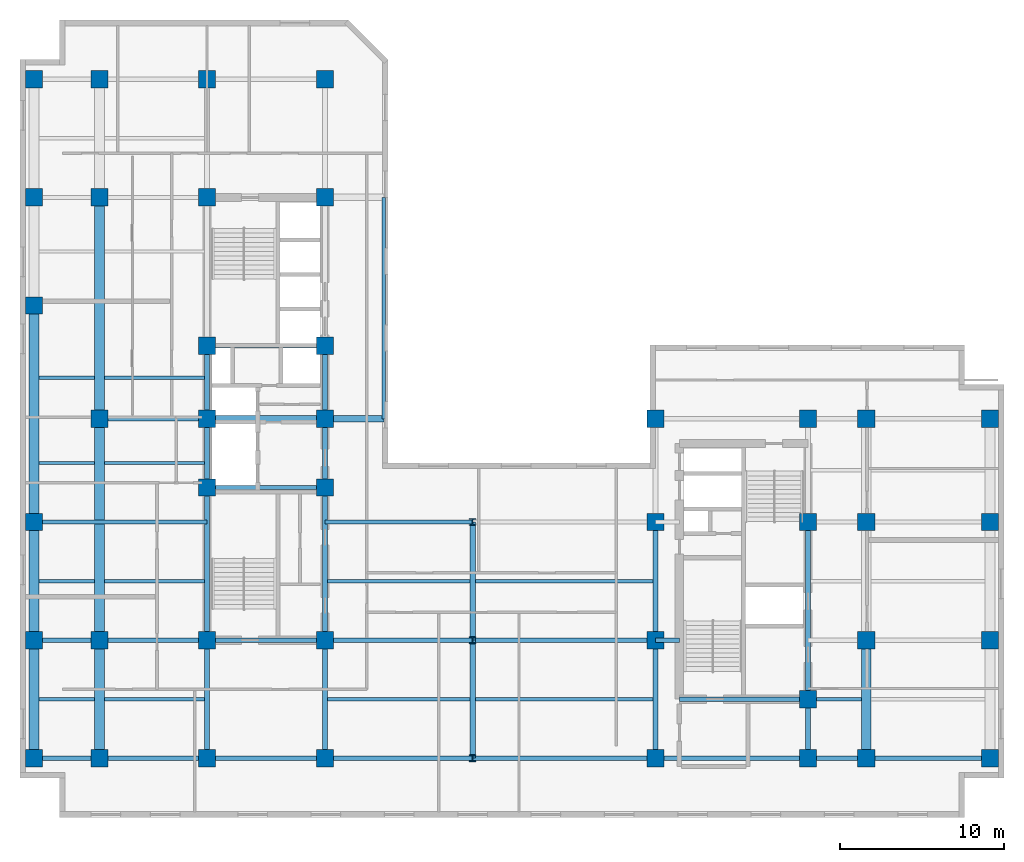
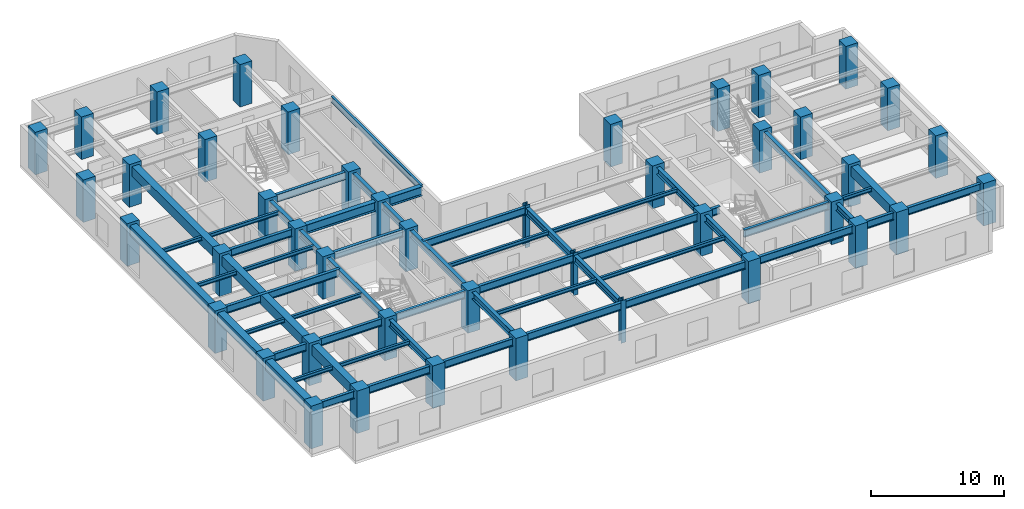
# One storey, part 1 of 10: 56 beams, 44 columns.
"""IFC4 building model written with IfcOpenShell, lengths in metres."""

from ifc_helpers import new_model, entity, si_unit, converted_unit, direction, frame, origin_with_axes, origin_2d_with_axis, place, context, subcontext, project, spatial, rectangle, i_section, extrude, material, material_profile, profile_set, type_object, element, save


model = new_model("IFC4")

# Units and contexts
model_context = context("Model", 3, precision=1e-05, world=origin_with_axes(), true_north=direction((0.0, 1.0)))
body_context = subcontext(model_context, "Body", "Model", "MODEL_VIEW")
ifc_project = project(units=[si_unit("LENGTHUNIT", "METRE"), si_unit("AREAUNIT", "SQUARE_METRE"), si_unit("VOLUMEUNIT", "CUBIC_METRE"), converted_unit("PLANEANGLEUNIT", "DEGREE", entity("IfcPlaneAngleMeasure", 0.017453292519943295), si_unit("PLANEANGLEUNIT", "RADIAN"), dimensions=[0, 0, 0, 0, 0, 0, 0]), si_unit("MASSUNIT", "GRAM", prefix="KILO"), si_unit("THERMODYNAMICTEMPERATUREUNIT", "KELVIN")], contexts=[model_context])

# Site, building, storey
site_placement = place(None, origin_with_axes())
site = spatial("IfcSite", under=ifc_project, at=site_placement, CompositionType="ELEMENT")
building_placement = place(site_placement, origin_with_axes())
building = spatial("IfcBuilding", under=site, at=building_placement, Name="Varnlund Millrace Tower", CompositionType="ELEMENT")
storey_placement = place(building_placement, frame((0.0, 0.0, 148.5), z_axis=(0.0, 0.0, 1.0), x_axis=(1.0, 0.0, 0.0)))
storey = spatial("IfcBuildingStorey", under=building, at=storey_placement, Name="L36", CompositionType="ELEMENT", Elevation=148.5)

# Columns
ifc_material_1 = material(Name="Steel ASTM A913 Grade 65", Category="steel")
ifc_material_profile_1 = material_profile(ifc_material_1, i_section(OverallWidth=0.406, OverallDepth=0.416, WebThickness=0.0298, FlangeThickness=0.048, FilletRadius=0.022, at=origin_2d_with_axis()), Name="Steel ASTM A913 Grade 65")
ifc_profile_set_1 = profile_set([ifc_material_profile_1], Name="Steel ASTM A913 Grade 65")
column_type_1 = type_object("IfcColumnType", Name="Type-Col-Int-W14X257", PredefinedType="COLUMN", material=ifc_profile_set_1)
for number, where, z_axis, x_axis, name in (
    (1, (27.6, 3.6, 0.0), (0.0, 0.0, 1.0), (1.0, 0.0, 0.0), "Type-Col-Int-W14X257"),
    (2, (27.6, 10.8, 0.0), (0.0, 0.0, 1.0), (1.0, 0.0, 0.0), "Type-Col-Int-W14X257"),
    (3, (27.6, 18.0, 0.0), (0.0, 0.0, 1.0), (1.0, 0.0, 0.0), "Type-Col-Int-W14X257"),
):
    element("IfcColumn", number, at=place(storey_placement, frame(where, z_axis=z_axis, x_axis=x_axis)), inside=storey, type_object=column_type_1, Name=name, PredefinedType="COLUMN", context=body_context, shape_type="SweptSolid", body=[
        extrude(i_section(OverallWidth=0.406, OverallDepth=0.416, WebThickness=0.0298, FlangeThickness=0.048, FilletRadius=0.022, at=origin_2d_with_axis()), origin_with_axes(), (0.0, 0.0, 1.0), 3.9),
    ])
ifc_material_2 = material(Name="Concrete C70/85", Category="concrete")
ifc_material_profile_2 = material_profile(ifc_material_2, rectangle(XDim=1.05, YDim=1.05, at=origin_2d_with_axis()), Name="Concrete C70/85")
ifc_profile_set_2 = profile_set([ifc_material_profile_2], Name="Concrete C70/85")
column_type_2 = type_object("IfcColumnType", Name="Type-Col-RC1050-C70", PredefinedType="COLUMN", material=ifc_profile_set_2)
for number, where, z_axis, x_axis, name in (
    (4, (11.4, 3.6, 0.0), (0.0, 0.0, 1.0), (1.0, 0.0, 0.0), "Type-Col-RC1050-C70"),
    (5, (11.4, 10.8, 0.0), (0.0, 0.0, 1.0), (1.0, 0.0, 0.0), "Type-Col-RC1050-C70"),
    (6, (11.4, 20.1, 0.0), (0.0, 0.0, 1.0), (1.0, 0.0, 0.0), "Type-Col-RC1050-C70"),
    (7, (11.4, 24.3, 0.0), (0.0, 0.0, 1.0), (1.0, 0.0, 0.0), "Type-Col-RC1050-C70"),
    (8, (11.4, 28.75, 0.0), (0.0, 0.0, 1.0), (1.0, 0.0, 0.0), "Type-Col-RC1050-C70"),
    (9, (11.4, 37.8, 0.0), (0.0, 0.0, 1.0), (1.0, 0.0, 0.0), "Type-Col-RC1050-C70"),
    (10, (11.4, 45.0, 0.0), (0.0, 0.0, 1.0), (1.0, 0.0, 0.0), "Type-Col-RC1050-C70"),
    (11, (18.6, 3.6, 0.0), (0.0, 0.0, 1.0), (1.0, 0.0, 0.0), "Type-Col-RC1050-C70"),
    (12, (18.6, 10.8, 0.0), (0.0, 0.0, 1.0), (1.0, 0.0, 0.0), "Type-Col-RC1050-C70"),
    (13, (18.6, 20.1, 0.0), (0.0, 0.0, 1.0), (1.0, 0.0, 0.0), "Type-Col-RC1050-C70"),
    (14, (18.6, 24.3, 0.0), (0.0, 0.0, 1.0), (1.0, 0.0, 0.0), "Type-Col-RC1050-C70"),
    (15, (18.6, 28.75, 0.0), (0.0, 0.0, 1.0), (1.0, 0.0, 0.0), "Type-Col-RC1050-C70"),
    (16, (18.6, 37.8, 0.0), (0.0, 0.0, 1.0), (1.0, 0.0, 0.0), "Type-Col-RC1050-C70"),
    (17, (18.6, 45.0, 0.0), (0.0, 0.0, 1.0), (1.0, 0.0, 0.0), "Type-Col-RC1050-C70"),
    (18, (4.85, 3.6, 0.0), (0.0, 0.0, 1.0), (1.0, 0.0, 0.0), "Type-Col-RC1050-C70"),
    (19, (4.85, 10.8, 0.0), (0.0, 0.0, 1.0), (1.0, 0.0, 0.0), "Type-Col-RC1050-C70"),
    (20, (4.85, 24.3, 0.0), (0.0, 0.0, 1.0), (1.0, 0.0, 0.0), "Type-Col-RC1050-C70"),
    (21, (4.85, 37.8, 0.0), (0.0, 0.0, 1.0), (1.0, 0.0, 0.0), "Type-Col-RC1050-C70"),
    (22, (4.85, 45.0, 0.0), (0.0, 0.0, 1.0), (1.0, 0.0, 0.0), "Type-Col-RC1050-C70"),
    (23, (0.85, 3.6, 0.0), (0.0, 0.0, 1.0), (1.0, 0.0, 0.0), "Type-Col-RC1050-C70"),
    (24, (0.85, 10.8, 0.0), (0.0, 0.0, 1.0), (1.0, 0.0, 0.0), "Type-Col-RC1050-C70"),
    (25, (0.85, 18.0, 0.0), (0.0, 0.0, 1.0), (1.0, 0.0, 0.0), "Type-Col-RC1050-C70"),
    (26, (0.85, 31.2, 0.0), (0.0, 0.0, 1.0), (1.0, 0.0, 0.0), "Type-Col-RC1050-C70"),
    (27, (0.85, 37.8, 0.0), (0.0, 0.0, 1.0), (1.0, 0.0, 0.0), "Type-Col-RC1050-C70"),
    (28, (0.85, 45.0, 0.0), (0.0, 0.0, 1.0), (1.0, 0.0, 0.0), "Type-Col-RC1050-C70"),
    (29, (38.75, 3.6, 0.0), (0.0, 0.0, 1.0), (1.0, 0.0, 0.0), "Type-Col-RC1050-C70"),
    (30, (38.75, 10.8, 0.0), (0.0, 0.0, 1.0), (1.0, 0.0, 0.0), "Type-Col-RC1050-C70"),
    (31, (38.75, 18.0, 0.0), (0.0, 0.0, 1.0), (1.0, 0.0, 0.0), "Type-Col-RC1050-C70"),
    (32, (38.75, 24.3, 0.0), (0.0, 0.0, 1.0), (1.0, 0.0, 0.0), "Type-Col-RC1050-C70"),
    (33, (48.05, 3.6, 0.0), (0.0, 0.0, 1.0), (1.0, 0.0, 0.0), "Type-Col-RC1050-C70"),
    (34, (48.05, 7.2, 0.0), (0.0, 0.0, 1.0), (1.0, 0.0, 0.0), "Type-Col-RC1050-C70"),
    (35, (48.05, 18.0, 0.0), (0.0, 0.0, 1.0), (1.0, 0.0, 0.0), "Type-Col-RC1050-C70"),
    (36, (48.05, 24.3, 0.0), (0.0, 0.0, 1.0), (1.0, 0.0, 0.0), "Type-Col-RC1050-C70"),
    (37, (51.6, 3.6, 0.0), (0.0, 0.0, 1.0), (1.0, 0.0, 0.0), "Type-Col-RC1050-C70"),
    (38, (51.6, 10.8, 0.0), (0.0, 0.0, 1.0), (1.0, 0.0, 0.0), "Type-Col-RC1050-C70"),
    (39, (51.6, 18.0, 0.0), (0.0, 0.0, 1.0), (1.0, 0.0, 0.0), "Type-Col-RC1050-C70"),
    (40, (51.6, 24.3, 0.0), (0.0, 0.0, 1.0), (1.0, 0.0, 0.0), "Type-Col-RC1050-C70"),
    (41, (59.15, 3.6, 0.0), (0.0, 0.0, 1.0), (1.0, 0.0, 0.0), "Type-Col-RC1050-C70"),
    (42, (59.15, 10.8, 0.0), (0.0, 0.0, 1.0), (1.0, 0.0, 0.0), "Type-Col-RC1050-C70"),
    (43, (59.15, 18.0, 0.0), (0.0, 0.0, 1.0), (1.0, 0.0, 0.0), "Type-Col-RC1050-C70"),
    (44, (59.15, 24.3, 0.0), (0.0, 0.0, 1.0), (1.0, 0.0, 0.0), "Type-Col-RC1050-C70"),
):
    element("IfcColumn", number, at=place(storey_placement, frame(where, z_axis=z_axis, x_axis=x_axis)), inside=storey, type_object=column_type_2, Name=name, PredefinedType="COLUMN", context=body_context, shape_type="SweptSolid", body=[
        extrude(rectangle(XDim=1.05, YDim=1.05, at=origin_2d_with_axis()), origin_with_axes(), (0.0, 0.0, 1.0), 3.9),
    ])

# Beams
ifc_material_3 = material(Name="Steel ASTM A992 Grade 50", Category="steel")
ifc_material_profile_3 = material_profile(ifc_material_3, i_section(OverallWidth=0.209, OverallDepth=0.533, WebThickness=0.0102, FlangeThickness=0.0156, FilletRadius=0.014, at=origin_2d_with_axis()), Name="Steel ASTM A992 Grade 50")
ifc_profile_set_3 = profile_set([ifc_material_profile_3], Name="Steel ASTM A992 Grade 50")
beam_type_1 = type_object("IfcBeamType", Name="Type-Beam-W21X62", PredefinedType="BEAM", material=ifc_profile_set_3)
beam_1_placement = place(storey_placement, frame((22.191, 24.3, 3.3935), z_axis=(0.0, 1.0, 0.0), x_axis=(-1.0, 0.0, 0.0)))
element("IfcBeam", 45, at=beam_1_placement, inside=storey, type_object=beam_type_1, Name="Type-Beam-W21X62", PredefinedType="BEAM", context=body_context, shape_type="SweptSolid", body=[
    extrude(i_section(OverallWidth=0.209, OverallDepth=0.533, WebThickness=0.0102, FlangeThickness=0.0156, FilletRadius=0.014, at=origin_2d_with_axis()), origin_with_axes(), (0.0, 0.0, 1.0), 13.5),
])
ifc_material_profile_4 = material_profile(ifc_material_3, i_section(OverallWidth=0.328, OverallDepth=0.628, WebThickness=0.0165, FlangeThickness=0.0277, FilletRadius=0.018, at=origin_2d_with_axis()), Name="Steel ASTM A992 Grade 50")
ifc_profile_set_4 = profile_set([ifc_material_profile_4], Name="Steel ASTM A992 Grade 50")
beam_type_2 = type_object("IfcBeamType", Name="Type-Girder-W24X146", PredefinedType="USERDEFINED", material=ifc_profile_set_4)
beam_2_placement = place(storey_placement, frame((11.4, 3.6, 3.346), z_axis=(0.0, 1.0, 0.0), x_axis=(-1.0, 0.0, 0.0)))
element("IfcBeam", 46, at=beam_2_placement, inside=storey, type_object=beam_type_2, Name="Type-Girder-W24X146", ObjectType="GIRDER", PredefinedType="USERDEFINED", context=body_context, shape_type="SweptSolid", body=[
    extrude(i_section(OverallWidth=0.328, OverallDepth=0.628, WebThickness=0.0165, FlangeThickness=0.0277, FilletRadius=0.018, at=origin_2d_with_axis()), origin_with_axes(), (0.0, 0.0, 1.0), 7.2),
])
beam_3_placement = place(storey_placement, frame((11.4, 10.8, 3.346), z_axis=(0.0, 1.0, 0.0), x_axis=(-1.0, 0.0, 0.0)))
element("IfcBeam", 47, at=beam_3_placement, inside=storey, type_object=beam_type_2, Name="Type-Girder-W24X146", ObjectType="GIRDER", PredefinedType="USERDEFINED", context=body_context, shape_type="SweptSolid", body=[
    extrude(i_section(OverallWidth=0.328, OverallDepth=0.628, WebThickness=0.0165, FlangeThickness=0.0277, FilletRadius=0.018, at=origin_2d_with_axis()), origin_with_axes(), (0.0, 0.0, 1.0), 9.3),
])
beam_4_placement = place(storey_placement, frame((11.4, 20.1, 3.346), z_axis=(0.0, 1.0, 0.0), x_axis=(-1.0, 0.0, 0.0)))
element("IfcBeam", 48, at=beam_4_placement, inside=storey, type_object=beam_type_2, Name="Type-Girder-W24X146", ObjectType="GIRDER", PredefinedType="USERDEFINED", context=body_context, shape_type="SweptSolid", body=[
    extrude(i_section(OverallWidth=0.328, OverallDepth=0.628, WebThickness=0.0165, FlangeThickness=0.0277, FilletRadius=0.018, at=origin_2d_with_axis()), origin_with_axes(), (0.0, 0.0, 1.0), 4.2),
])
beam_5_placement = place(storey_placement, frame((11.4, 24.3, 3.346), z_axis=(0.0, 1.0, 0.0), x_axis=(-1.0, 0.0, 0.0)))
element("IfcBeam", 49, at=beam_5_placement, inside=storey, type_object=beam_type_2, Name="Type-Girder-W24X146", ObjectType="GIRDER", PredefinedType="USERDEFINED", context=body_context, shape_type="SweptSolid", body=[
    extrude(i_section(OverallWidth=0.328, OverallDepth=0.628, WebThickness=0.0165, FlangeThickness=0.0277, FilletRadius=0.018, at=origin_2d_with_axis()), origin_with_axes(), (0.0, 0.0, 1.0), 4.45),
])
beam_6_placement = place(storey_placement, frame((18.6, 3.6, 3.346), z_axis=(0.0, 1.0, 0.0), x_axis=(-1.0, 0.0, 0.0)))
element("IfcBeam", 50, at=beam_6_placement, inside=storey, type_object=beam_type_2, Name="Type-Girder-W24X146", ObjectType="GIRDER", PredefinedType="USERDEFINED", context=body_context, shape_type="SweptSolid", body=[
    extrude(i_section(OverallWidth=0.328, OverallDepth=0.628, WebThickness=0.0165, FlangeThickness=0.0277, FilletRadius=0.018, at=origin_2d_with_axis()), origin_with_axes(), (0.0, 0.0, 1.0), 7.2),
])
beam_7_placement = place(storey_placement, frame((18.6, 10.8, 3.346), z_axis=(0.0, 1.0, 0.0), x_axis=(-1.0, 0.0, 0.0)))
element("IfcBeam", 51, at=beam_7_placement, inside=storey, type_object=beam_type_2, Name="Type-Girder-W24X146", ObjectType="GIRDER", PredefinedType="USERDEFINED", context=body_context, shape_type="SweptSolid", body=[
    extrude(i_section(OverallWidth=0.328, OverallDepth=0.628, WebThickness=0.0165, FlangeThickness=0.0277, FilletRadius=0.018, at=origin_2d_with_axis()), origin_with_axes(), (0.0, 0.0, 1.0), 9.3),
])
beam_8_placement = place(storey_placement, frame((18.6, 20.1, 3.346), z_axis=(0.0, 1.0, 0.0), x_axis=(-1.0, 0.0, 0.0)))
element("IfcBeam", 52, at=beam_8_placement, inside=storey, type_object=beam_type_2, Name="Type-Girder-W24X146", ObjectType="GIRDER", PredefinedType="USERDEFINED", context=body_context, shape_type="SweptSolid", body=[
    extrude(i_section(OverallWidth=0.328, OverallDepth=0.628, WebThickness=0.0165, FlangeThickness=0.0277, FilletRadius=0.018, at=origin_2d_with_axis()), origin_with_axes(), (0.0, 0.0, 1.0), 4.2),
])
beam_9_placement = place(storey_placement, frame((18.6, 24.3, 3.346), z_axis=(0.0, 1.0, 0.0), x_axis=(-1.0, 0.0, 0.0)))
element("IfcBeam", 53, at=beam_9_placement, inside=storey, type_object=beam_type_2, Name="Type-Girder-W24X146", ObjectType="GIRDER", PredefinedType="USERDEFINED", context=body_context, shape_type="SweptSolid", body=[
    extrude(i_section(OverallWidth=0.328, OverallDepth=0.628, WebThickness=0.0165, FlangeThickness=0.0277, FilletRadius=0.018, at=origin_2d_with_axis()), origin_with_axes(), (0.0, 0.0, 1.0), 4.45),
])
for number, where, z_axis, x_axis, name in (
    (54, (27.6, 3.6, 3.346), (0.0, 1.0, 0.0), (-1.0, 0.0, 0.0), "Type-Girder-W24X146"),
    (55, (27.6, 10.8, 3.346), (0.0, 1.0, 0.0), (-1.0, 0.0, 0.0), "Type-Girder-W24X146"),
    (56, (38.75, 3.6, 3.346), (0.0, 1.0, 0.0), (-1.0, 0.0, 0.0), "Type-Girder-W24X146"),
    (57, (38.75, 10.8, 3.346), (0.0, 1.0, 0.0), (-1.0, 0.0, 0.0), "Type-Girder-W24X146"),
):
    element("IfcBeam", number, at=place(storey_placement, frame(where, z_axis=z_axis, x_axis=x_axis)), inside=storey, type_object=beam_type_2, Name=name, ObjectType="GIRDER", PredefinedType="USERDEFINED", context=body_context, shape_type="SweptSolid", body=[
        extrude(i_section(OverallWidth=0.328, OverallDepth=0.628, WebThickness=0.0165, FlangeThickness=0.0277, FilletRadius=0.018, at=origin_2d_with_axis()), origin_with_axes(), (0.0, 0.0, 1.0), 7.2),
    ])
beam_10_placement = place(storey_placement, frame((48.05, 3.6, 3.346), z_axis=(0.0, 1.0, 0.0), x_axis=(-1.0, 0.0, 0.0)))
element("IfcBeam", 58, at=beam_10_placement, inside=storey, type_object=beam_type_2, Name="Type-Girder-W24X146", ObjectType="GIRDER", PredefinedType="USERDEFINED", context=body_context, shape_type="SweptSolid", body=[
    extrude(i_section(OverallWidth=0.328, OverallDepth=0.628, WebThickness=0.0165, FlangeThickness=0.0277, FilletRadius=0.018, at=origin_2d_with_axis()), origin_with_axes(), (0.0, 0.0, 1.0), 3.6),
])
beam_11_placement = place(storey_placement, frame((48.05, 7.2, 3.346), z_axis=(0.0, 1.0, 0.0), x_axis=(-1.0, 0.0, 0.0)))
element("IfcBeam", 59, at=beam_11_placement, inside=storey, type_object=beam_type_2, Name="Type-Girder-W24X146", ObjectType="GIRDER", PredefinedType="USERDEFINED", context=body_context, shape_type="SweptSolid", body=[
    extrude(i_section(OverallWidth=0.328, OverallDepth=0.628, WebThickness=0.0165, FlangeThickness=0.0277, FilletRadius=0.018, at=origin_2d_with_axis()), origin_with_axes(), (0.0, 0.0, 1.0), 10.8),
])
ifc_material_profile_5 = material_profile(ifc_material_3, i_section(OverallWidth=0.256, OverallDepth=0.693, WebThickness=0.0145, FlangeThickness=0.0236, FilletRadius=0.018, at=origin_2d_with_axis()), Name="Steel ASTM A992 Grade 50")
ifc_profile_set_5 = profile_set([ifc_material_profile_5], Name="Steel ASTM A992 Grade 50")
beam_type_3 = type_object("IfcBeamType", Name="Type-Girder-W27X114", PredefinedType="USERDEFINED", material=ifc_profile_set_5)
beam_12_placement = place(storey_placement, frame((0.85, 3.6, 3.3135), z_axis=(1.0, 0.0, 0.0), x_axis=(0.0, 1.0, 0.0)))
element("IfcBeam", 60, at=beam_12_placement, inside=storey, type_object=beam_type_3, Name="Type-Girder-W27X114", ObjectType="GIRDER", PredefinedType="USERDEFINED", context=body_context, shape_type="SweptSolid", body=[
    extrude(i_section(OverallWidth=0.256, OverallDepth=0.693, WebThickness=0.0145, FlangeThickness=0.0236, FilletRadius=0.018, at=origin_2d_with_axis()), origin_with_axes(), (0.0, 0.0, 1.0), 4.0),
])
beam_13_placement = place(storey_placement, frame((4.85, 3.6, 3.3135), z_axis=(1.0, 0.0, 0.0), x_axis=(0.0, 1.0, 0.0)))
element("IfcBeam", 61, at=beam_13_placement, inside=storey, type_object=beam_type_3, Name="Type-Girder-W27X114", ObjectType="GIRDER", PredefinedType="USERDEFINED", context=body_context, shape_type="SweptSolid", body=[
    extrude(i_section(OverallWidth=0.256, OverallDepth=0.693, WebThickness=0.0145, FlangeThickness=0.0236, FilletRadius=0.018, at=origin_2d_with_axis()), origin_with_axes(), (0.0, 0.0, 1.0), 6.55),
])
beam_14_placement = place(storey_placement, frame((11.4, 3.6, 3.3135), z_axis=(1.0, 0.0, 0.0), x_axis=(0.0, 1.0, 0.0)))
element("IfcBeam", 62, at=beam_14_placement, inside=storey, type_object=beam_type_3, Name="Type-Girder-W27X114", ObjectType="GIRDER", PredefinedType="USERDEFINED", context=body_context, shape_type="SweptSolid", body=[
    extrude(i_section(OverallWidth=0.256, OverallDepth=0.693, WebThickness=0.0145, FlangeThickness=0.0236, FilletRadius=0.018, at=origin_2d_with_axis()), origin_with_axes(), (0.0, 0.0, 1.0), 7.2),
])
beam_15_placement = place(storey_placement, frame((18.6, 3.6, 3.3135), z_axis=(1.0, 0.0, 0.0), x_axis=(0.0, 1.0, 0.0)))
element("IfcBeam", 63, at=beam_15_placement, inside=storey, type_object=beam_type_3, Name="Type-Girder-W27X114", ObjectType="GIRDER", PredefinedType="USERDEFINED", context=body_context, shape_type="SweptSolid", body=[
    extrude(i_section(OverallWidth=0.256, OverallDepth=0.693, WebThickness=0.0145, FlangeThickness=0.0236, FilletRadius=0.018, at=origin_2d_with_axis()), origin_with_axes(), (0.0, 0.0, 1.0), 9.0),
])
beam_16_placement = place(storey_placement, frame((27.6, 3.6, 3.3135), z_axis=(1.0, 0.0, 0.0), x_axis=(0.0, 1.0, 0.0)))
element("IfcBeam", 64, at=beam_16_placement, inside=storey, type_object=beam_type_3, Name="Type-Girder-W27X114", ObjectType="GIRDER", PredefinedType="USERDEFINED", context=body_context, shape_type="SweptSolid", body=[
    extrude(i_section(OverallWidth=0.256, OverallDepth=0.693, WebThickness=0.0145, FlangeThickness=0.0236, FilletRadius=0.018, at=origin_2d_with_axis()), origin_with_axes(), (0.0, 0.0, 1.0), 11.15),
])
beam_17_placement = place(storey_placement, frame((38.75, 3.6, 3.3135), z_axis=(1.0, 0.0, 0.0), x_axis=(0.0, 1.0, 0.0)))
element("IfcBeam", 65, at=beam_17_placement, inside=storey, type_object=beam_type_3, Name="Type-Girder-W27X114", ObjectType="GIRDER", PredefinedType="USERDEFINED", context=body_context, shape_type="SweptSolid", body=[
    extrude(i_section(OverallWidth=0.256, OverallDepth=0.693, WebThickness=0.0145, FlangeThickness=0.0236, FilletRadius=0.018, at=origin_2d_with_axis()), origin_with_axes(), (0.0, 0.0, 1.0), 9.3),
])
beam_18_placement = place(storey_placement, frame((48.05, 3.6, 3.3135), z_axis=(1.0, 0.0, 0.0), x_axis=(0.0, 1.0, 0.0)))
element("IfcBeam", 66, at=beam_18_placement, inside=storey, type_object=beam_type_3, Name="Type-Girder-W27X114", ObjectType="GIRDER", PredefinedType="USERDEFINED", context=body_context, shape_type="SweptSolid", body=[
    extrude(i_section(OverallWidth=0.256, OverallDepth=0.693, WebThickness=0.0145, FlangeThickness=0.0236, FilletRadius=0.018, at=origin_2d_with_axis()), origin_with_axes(), (0.0, 0.0, 1.0), 3.55),
])
beam_19_placement = place(storey_placement, frame((51.6, 3.6, 3.3135), z_axis=(1.0, 0.0, 0.0), x_axis=(0.0, 1.0, 0.0)))
element("IfcBeam", 67, at=beam_19_placement, inside=storey, type_object=beam_type_3, Name="Type-Girder-W27X114", ObjectType="GIRDER", PredefinedType="USERDEFINED", context=body_context, shape_type="SweptSolid", body=[
    extrude(i_section(OverallWidth=0.256, OverallDepth=0.693, WebThickness=0.0145, FlangeThickness=0.0236, FilletRadius=0.018, at=origin_2d_with_axis()), origin_with_axes(), (0.0, 0.0, 1.0), 7.55),
])
beam_20_placement = place(storey_placement, frame((40.2, 7.2, 3.3135), z_axis=(1.0, 0.0, 0.0), x_axis=(0.0, 1.0, 0.0)))
element("IfcBeam", 68, at=beam_20_placement, inside=storey, type_object=beam_type_3, Name="Type-Girder-W27X114", ObjectType="GIRDER", PredefinedType="USERDEFINED", context=body_context, shape_type="SweptSolid", body=[
    extrude(i_section(OverallWidth=0.256, OverallDepth=0.693, WebThickness=0.0145, FlangeThickness=0.0236, FilletRadius=0.018, at=origin_2d_with_axis()), origin_with_axes(), (0.0, 0.0, 1.0), 7.85),
])
beam_21_placement = place(storey_placement, frame((0.85, 10.8, 3.3135), z_axis=(1.0, 0.0, 0.0), x_axis=(0.0, 1.0, 0.0)))
element("IfcBeam", 69, at=beam_21_placement, inside=storey, type_object=beam_type_3, Name="Type-Girder-W27X114", ObjectType="GIRDER", PredefinedType="USERDEFINED", context=body_context, shape_type="SweptSolid", body=[
    extrude(i_section(OverallWidth=0.256, OverallDepth=0.693, WebThickness=0.0145, FlangeThickness=0.0236, FilletRadius=0.018, at=origin_2d_with_axis()), origin_with_axes(), (0.0, 0.0, 1.0), 4.0),
])
beam_22_placement = place(storey_placement, frame((4.85, 10.8, 3.3135), z_axis=(1.0, 0.0, 0.0), x_axis=(0.0, 1.0, 0.0)))
element("IfcBeam", 70, at=beam_22_placement, inside=storey, type_object=beam_type_3, Name="Type-Girder-W27X114", ObjectType="GIRDER", PredefinedType="USERDEFINED", context=body_context, shape_type="SweptSolid", body=[
    extrude(i_section(OverallWidth=0.256, OverallDepth=0.693, WebThickness=0.0145, FlangeThickness=0.0236, FilletRadius=0.018, at=origin_2d_with_axis()), origin_with_axes(), (0.0, 0.0, 1.0), 6.55),
])
beam_23_placement = place(storey_placement, frame((11.4, 10.8, 3.3135), z_axis=(1.0, 0.0, 0.0), x_axis=(0.0, 1.0, 0.0)))
element("IfcBeam", 71, at=beam_23_placement, inside=storey, type_object=beam_type_3, Name="Type-Girder-W27X114", ObjectType="GIRDER", PredefinedType="USERDEFINED", context=body_context, shape_type="SweptSolid", body=[
    extrude(i_section(OverallWidth=0.256, OverallDepth=0.693, WebThickness=0.0145, FlangeThickness=0.0236, FilletRadius=0.018, at=origin_2d_with_axis()), origin_with_axes(), (0.0, 0.0, 1.0), 7.2),
])
beam_24_placement = place(storey_placement, frame((18.6, 10.8, 3.3135), z_axis=(1.0, 0.0, 0.0), x_axis=(0.0, 1.0, 0.0)))
element("IfcBeam", 72, at=beam_24_placement, inside=storey, type_object=beam_type_3, Name="Type-Girder-W27X114", ObjectType="GIRDER", PredefinedType="USERDEFINED", context=body_context, shape_type="SweptSolid", body=[
    extrude(i_section(OverallWidth=0.256, OverallDepth=0.693, WebThickness=0.0145, FlangeThickness=0.0236, FilletRadius=0.018, at=origin_2d_with_axis()), origin_with_axes(), (0.0, 0.0, 1.0), 9.0),
])
beam_25_placement = place(storey_placement, frame((27.6, 10.8, 3.3135), z_axis=(1.0, 0.0, 0.0), x_axis=(0.0, 1.0, 0.0)))
element("IfcBeam", 73, at=beam_25_placement, inside=storey, type_object=beam_type_3, Name="Type-Girder-W27X114", ObjectType="GIRDER", PredefinedType="USERDEFINED", context=body_context, shape_type="SweptSolid", body=[
    extrude(i_section(OverallWidth=0.256, OverallDepth=0.693, WebThickness=0.0145, FlangeThickness=0.0236, FilletRadius=0.018, at=origin_2d_with_axis()), origin_with_axes(), (0.0, 0.0, 1.0), 11.15),
])
beam_26_placement = place(storey_placement, frame((38.75, 10.8, 3.3135), z_axis=(1.0, 0.0, 0.0), x_axis=(0.0, 1.0, 0.0)))
element("IfcBeam", 74, at=beam_26_placement, inside=storey, type_object=beam_type_3, Name="Type-Girder-W27X114", ObjectType="GIRDER", PredefinedType="USERDEFINED", context=body_context, shape_type="SweptSolid", body=[
    extrude(i_section(OverallWidth=0.256, OverallDepth=0.693, WebThickness=0.0145, FlangeThickness=0.0236, FilletRadius=0.018, at=origin_2d_with_axis()), origin_with_axes(), (0.0, 0.0, 1.0), 1.45),
])
beam_27_placement = place(storey_placement, frame((0.85, 18.0, 3.3135), z_axis=(1.0, 0.0, 0.0), x_axis=(0.0, 1.0, 0.0)))
element("IfcBeam", 75, at=beam_27_placement, inside=storey, type_object=beam_type_3, Name="Type-Girder-W27X114", ObjectType="GIRDER", PredefinedType="USERDEFINED", context=body_context, shape_type="SweptSolid", body=[
    extrude(i_section(OverallWidth=0.256, OverallDepth=0.693, WebThickness=0.0145, FlangeThickness=0.0236, FilletRadius=0.018, at=origin_2d_with_axis()), origin_with_axes(), (0.0, 0.0, 1.0), 10.55),
])
beam_28_placement = place(storey_placement, frame((18.6, 18.0, 3.3135), z_axis=(1.0, 0.0, 0.0), x_axis=(0.0, 1.0, 0.0)))
element("IfcBeam", 76, at=beam_28_placement, inside=storey, type_object=beam_type_3, Name="Type-Girder-W27X114", ObjectType="GIRDER", PredefinedType="USERDEFINED", context=body_context, shape_type="SweptSolid", body=[
    extrude(i_section(OverallWidth=0.256, OverallDepth=0.693, WebThickness=0.0145, FlangeThickness=0.0236, FilletRadius=0.018, at=origin_2d_with_axis()), origin_with_axes(), (0.0, 0.0, 1.0), 9.0),
])
beam_29_placement = place(storey_placement, frame((11.4, 20.1, 3.3135), z_axis=(1.0, 0.0, 0.0), x_axis=(0.0, 1.0, 0.0)))
element("IfcBeam", 77, at=beam_29_placement, inside=storey, type_object=beam_type_3, Name="Type-Girder-W27X114", ObjectType="GIRDER", PredefinedType="USERDEFINED", context=body_context, shape_type="SweptSolid", body=[
    extrude(i_section(OverallWidth=0.256, OverallDepth=0.693, WebThickness=0.0145, FlangeThickness=0.0236, FilletRadius=0.018, at=origin_2d_with_axis()), origin_with_axes(), (0.0, 0.0, 1.0), 7.2),
])
beam_30_placement = place(storey_placement, frame((4.85, 24.3, 3.3135), z_axis=(1.0, 0.0, 0.0), x_axis=(0.0, 1.0, 0.0)))
element("IfcBeam", 78, at=beam_30_placement, inside=storey, type_object=beam_type_3, Name="Type-Girder-W27X114", ObjectType="GIRDER", PredefinedType="USERDEFINED", context=body_context, shape_type="SweptSolid", body=[
    extrude(i_section(OverallWidth=0.256, OverallDepth=0.693, WebThickness=0.0145, FlangeThickness=0.0236, FilletRadius=0.018, at=origin_2d_with_axis()), origin_with_axes(), (0.0, 0.0, 1.0), 6.55),
])
beam_31_placement = place(storey_placement, frame((11.4, 28.75, 3.3135), z_axis=(1.0, 0.0, 0.0), x_axis=(0.0, 1.0, 0.0)))
element("IfcBeam", 79, at=beam_31_placement, inside=storey, type_object=beam_type_3, Name="Type-Girder-W27X114", ObjectType="GIRDER", PredefinedType="USERDEFINED", context=body_context, shape_type="SweptSolid", body=[
    extrude(i_section(OverallWidth=0.256, OverallDepth=0.693, WebThickness=0.0145, FlangeThickness=0.0236, FilletRadius=0.018, at=origin_2d_with_axis()), origin_with_axes(), (0.0, 0.0, 1.0), 7.2),
])
ifc_material_profile_6 = material_profile(ifc_material_3, i_section(OverallWidth=0.399, OverallDepth=0.855, WebThickness=0.0182, FlangeThickness=0.0292, FilletRadius=0.022, at=origin_2d_with_axis()), Name="Steel ASTM A992 Grade 50")
ifc_profile_set_6 = profile_set([ifc_material_profile_6], Name="Steel ASTM A992 Grade 50")
beam_type_4 = type_object("IfcBeamType", Name="Type-Girder-W33X201", PredefinedType="USERDEFINED", material=ifc_profile_set_6)
beam_32_placement = place(storey_placement, frame((11.4, 24.3, 3.2325), z_axis=(1.0, 0.0, 0.0), x_axis=(0.0, 1.0, 0.0)))
element("IfcBeam", 80, at=beam_32_placement, inside=storey, type_object=beam_type_4, Name="Type-Girder-W33X201", ObjectType="GIRDER", PredefinedType="USERDEFINED", context=body_context, shape_type="SweptSolid", body=[
    extrude(i_section(OverallWidth=0.399, OverallDepth=0.855, WebThickness=0.0182, FlangeThickness=0.0292, FilletRadius=0.022, at=origin_2d_with_axis()), origin_with_axes(), (0.0, 0.0, 1.0), 10.791),
])
ifc_material_profile_7 = material_profile(ifc_material_3, i_section(OverallWidth=0.204, OverallDepth=0.35, WebThickness=0.0086, FlangeThickness=0.0151, FilletRadius=0.013, at=origin_2d_with_axis()), Name="Steel ASTM A992 Grade 50")
ifc_profile_set_7 = profile_set([ifc_material_profile_7], Name="Steel ASTM A992 Grade 50")
beam_type_5 = type_object("IfcBeamType", Name="Type-Joist-W14X48", PredefinedType="JOIST", material=ifc_profile_set_7)
for number, where, z_axis, x_axis, name in (
    (81, (1.15, 7.2, 3.485), (1.0, 0.0, 0.0), (0.0, 1.0, 0.0), "Type-Joist-W14X48"),
    (82, (1.15, 14.4, 3.485), (1.0, 0.0, 0.0), (0.0, 1.0, 0.0), "Type-Joist-W14X48"),
    (83, (1.15, 21.6, 3.485), (1.0, 0.0, 0.0), (0.0, 1.0, 0.0), "Type-Joist-W14X48"),
    (84, (1.15, 26.8, 3.485), (1.0, 0.0, 0.0), (0.0, 1.0, 0.0), "Type-Joist-W14X48"),
):
    element("IfcBeam", number, at=place(storey_placement, frame(where, z_axis=z_axis, x_axis=x_axis)), inside=storey, type_object=beam_type_5, Name=name, PredefinedType="JOIST", context=body_context, shape_type="SweptSolid", body=[
        extrude(i_section(OverallWidth=0.204, OverallDepth=0.35, WebThickness=0.0086, FlangeThickness=0.0151, FilletRadius=0.013, at=origin_2d_with_axis()), origin_with_axes(), (0.0, 0.0, 1.0), 3.4),
    ])
for number, where, z_axis, x_axis, name in (
    (85, (5.15, 7.2, 3.485), (1.0, 0.0, 0.0), (0.0, 1.0, 0.0), "Type-Joist-W14X48"),
    (86, (5.15, 14.4, 3.485), (1.0, 0.0, 0.0), (0.0, 1.0, 0.0), "Type-Joist-W14X48"),
    (87, (5.15, 21.6, 3.485), (1.0, 0.0, 0.0), (0.0, 1.0, 0.0), "Type-Joist-W14X48"),
    (88, (5.15, 26.8, 3.485), (1.0, 0.0, 0.0), (0.0, 1.0, 0.0), "Type-Joist-W14X48"),
):
    element("IfcBeam", number, at=place(storey_placement, frame(where, z_axis=z_axis, x_axis=x_axis)), inside=storey, type_object=beam_type_5, Name=name, PredefinedType="JOIST", context=body_context, shape_type="SweptSolid", body=[
        extrude(i_section(OverallWidth=0.204, OverallDepth=0.35, WebThickness=0.0086, FlangeThickness=0.0151, FilletRadius=0.013, at=origin_2d_with_axis()), origin_with_axes(), (0.0, 0.0, 1.0), 6.086),
    ])
beam_33_placement = place(storey_placement, frame((48.214, 7.2, 3.485), z_axis=(1.0, 0.0, 0.0), x_axis=(0.0, 1.0, 0.0)))
element("IfcBeam", 89, at=beam_33_placement, inside=storey, type_object=beam_type_5, Name="Type-Joist-W14X48", PredefinedType="JOIST", context=body_context, shape_type="SweptSolid", body=[
    extrude(i_section(OverallWidth=0.204, OverallDepth=0.35, WebThickness=0.0086, FlangeThickness=0.0151, FilletRadius=0.013, at=origin_2d_with_axis()), origin_with_axes(), (0.0, 0.0, 1.0), 3.086),
])
for number, where, z_axis, x_axis, name in (
    (90, (18.764, 7.2, 3.485), (1.0, 0.0, 0.0), (0.0, 1.0, 0.0), "Type-Joist-W14X48"),
    (91, (18.764, 14.4, 3.485), (1.0, 0.0, 0.0), (0.0, 1.0, 0.0), "Type-Joist-W14X48"),
):
    element("IfcBeam", number, at=place(storey_placement, frame(where, z_axis=z_axis, x_axis=x_axis)), inside=storey, type_object=beam_type_5, Name=name, PredefinedType="JOIST", context=body_context, shape_type="SweptSolid", body=[
        extrude(i_section(OverallWidth=0.204, OverallDepth=0.35, WebThickness=0.0086, FlangeThickness=0.0151, FilletRadius=0.013, at=origin_2d_with_axis()), origin_with_axes(), (0.0, 0.0, 1.0), 8.672),
    ])
for number, where, z_axis, x_axis, name in (
    (92, (27.764, 7.2, 3.485), (1.0, 0.0, 0.0), (0.0, 1.0, 0.0), "Type-Joist-W14X48"),
    (93, (27.764, 14.4, 3.485), (1.0, 0.0, 0.0), (0.0, 1.0, 0.0), "Type-Joist-W14X48"),
):
    element("IfcBeam", number, at=place(storey_placement, frame(where, z_axis=z_axis, x_axis=x_axis)), inside=storey, type_object=beam_type_5, Name=name, PredefinedType="JOIST", context=body_context, shape_type="SweptSolid", body=[
        extrude(i_section(OverallWidth=0.204, OverallDepth=0.35, WebThickness=0.0086, FlangeThickness=0.0151, FilletRadius=0.013, at=origin_2d_with_axis()), origin_with_axes(), (0.0, 0.0, 1.0), 10.822),
    ])
ifc_material_profile_8 = material_profile(ifc_material_2, rectangle(XDim=0.6, YDim=0.9, at=origin_2d_with_axis()), Name="Concrete C70/85")
ifc_profile_set_8 = profile_set([ifc_material_profile_8], Name="Concrete C70/85")
beam_type_6 = type_object("IfcBeamType", Name="Type-Spandrel-RC600X900", PredefinedType="SPANDREL", material=ifc_profile_set_8)
for number, where, z_axis, x_axis, name in (
    (94, (0.85, 3.6, 3.21), (0.0, 1.0, 0.0), (-1.0, 0.0, 0.0), "Type-Spandrel-RC600X900"),
    (95, (0.85, 10.8, 3.21), (0.0, 1.0, 0.0), (-1.0, 0.0, 0.0), "Type-Spandrel-RC600X900"),
):
    element("IfcBeam", number, at=place(storey_placement, frame(where, z_axis=z_axis, x_axis=x_axis)), inside=storey, type_object=beam_type_6, Name=name, PredefinedType="SPANDREL", context=body_context, shape_type="SweptSolid", body=[
        extrude(rectangle(XDim=0.6, YDim=0.9, at=origin_2d_with_axis()), origin_with_axes(), (0.0, 0.0, 1.0), 7.2),
    ])
beam_34_placement = place(storey_placement, frame((0.85, 18.0, 3.21), z_axis=(0.0, 1.0, 0.0), x_axis=(-1.0, 0.0, 0.0)))
element("IfcBeam", 96, at=beam_34_placement, inside=storey, type_object=beam_type_6, Name="Type-Spandrel-RC600X900", PredefinedType="SPANDREL", context=body_context, shape_type="SweptSolid", body=[
    extrude(rectangle(XDim=0.6, YDim=0.9, at=origin_2d_with_axis()), origin_with_axes(), (0.0, 0.0, 1.0), 13.2),
])
beam_35_placement = place(storey_placement, frame((4.85, 3.6, 3.21), z_axis=(0.0, 1.0, 0.0), x_axis=(-1.0, 0.0, 0.0)))
element("IfcBeam", 97, at=beam_35_placement, inside=storey, type_object=beam_type_6, Name="Type-Spandrel-RC600X900", PredefinedType="SPANDREL", context=body_context, shape_type="SweptSolid", body=[
    extrude(rectangle(XDim=0.6, YDim=0.9, at=origin_2d_with_axis()), origin_with_axes(), (0.0, 0.0, 1.0), 7.2),
])
for number, where, z_axis, x_axis, name in (
    (98, (4.85, 10.8, 3.21), (0.0, 1.0, 0.0), (-1.0, 0.0, 0.0), "Type-Spandrel-RC600X900"),
    (99, (4.85, 24.3, 3.21), (0.0, 1.0, 0.0), (-1.0, 0.0, 0.0), "Type-Spandrel-RC600X900"),
):
    element("IfcBeam", number, at=place(storey_placement, frame(where, z_axis=z_axis, x_axis=x_axis)), inside=storey, type_object=beam_type_6, Name=name, PredefinedType="SPANDREL", context=body_context, shape_type="SweptSolid", body=[
        extrude(rectangle(XDim=0.6, YDim=0.9, at=origin_2d_with_axis()), origin_with_axes(), (0.0, 0.0, 1.0), 13.5),
    ])
beam_36_placement = place(storey_placement, frame((51.6, 3.6, 3.21), z_axis=(0.0, 1.0, 0.0), x_axis=(-1.0, 0.0, 0.0)))
element("IfcBeam", 100, at=beam_36_placement, inside=storey, type_object=beam_type_6, Name="Type-Spandrel-RC600X900", PredefinedType="SPANDREL", context=body_context, shape_type="SweptSolid", body=[
    extrude(rectangle(XDim=0.6, YDim=0.9, at=origin_2d_with_axis()), origin_with_axes(), (0.0, 0.0, 1.0), 7.2),
])

save(model, "model.ifc")
